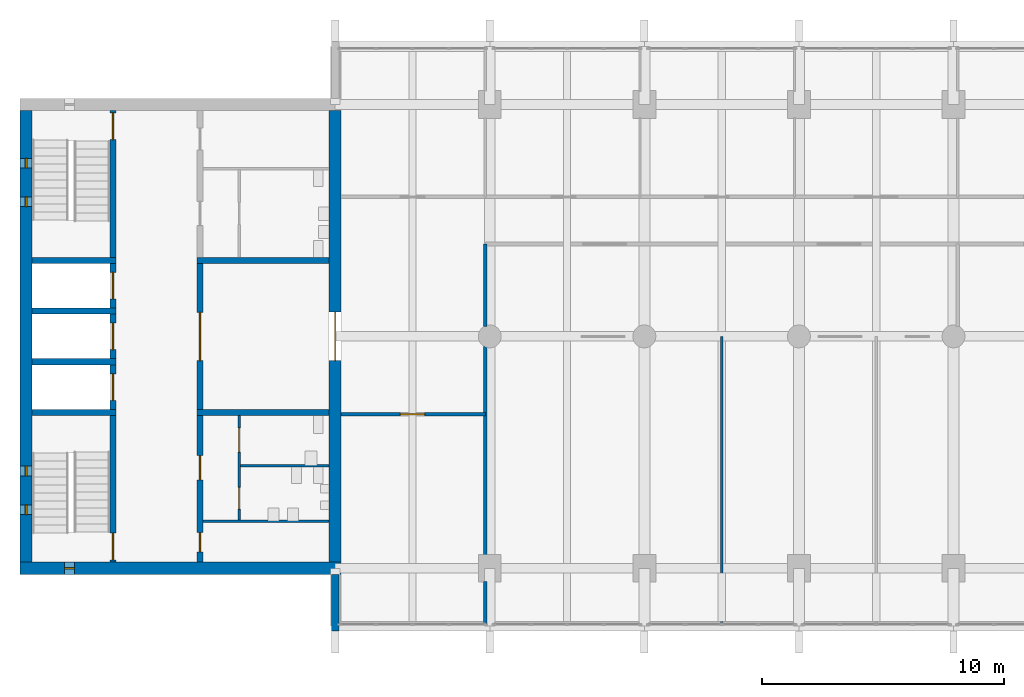
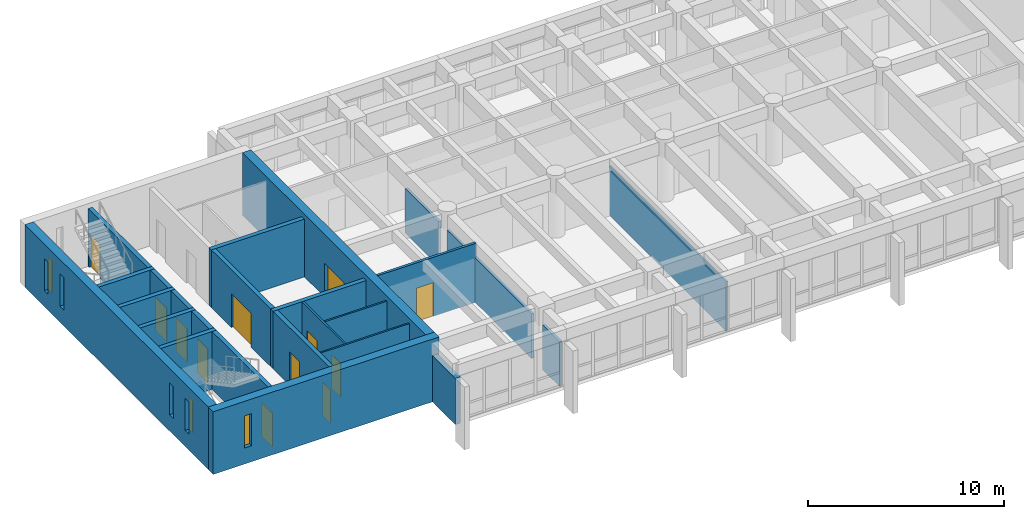
# One storey, part 9 of 15: 25 walls, 12 doors, 5 windows, 17 openings.
"""IFC4 building model written with IfcOpenShell, lengths in metres."""

from ifc_helpers import new_model, si_unit, direction, frame, frame_2d, origin, place, context, subcontext, project, spatial, rectangle, extrude, material, layer, layer_set, type_object, element, fill, save


model = new_model("IFC4")

# Units and contexts
model_context = context("Model", 3, precision=1e-05, world=origin(), true_north=direction((0.0, 1.0)))
body_context = subcontext(model_context, "Body", "Model", "MODEL_VIEW")
ifc_project = project(units=[si_unit("LENGTHUNIT", "METRE"), si_unit("AREAUNIT", "SQUARE_METRE"), si_unit("VOLUMEUNIT", "CUBIC_METRE"), si_unit("PLANEANGLEUNIT", "RADIAN"), si_unit("MASSUNIT", "GRAM", prefix="KILO")], contexts=[model_context])

# Site, building, storey
site_placement = place(None, origin())
site = spatial("IfcSite", under=ifc_project, at=site_placement, CompositionType="ELEMENT")
building_placement = place(site_placement, origin())
building = spatial("IfcBuilding", under=site, at=building_placement, Name="Fogon Plaza Fire Station and Headquarters Tower", CompositionType="ELEMENT")
storey_placement = place(building_placement, frame((0.0, 0.0, 40.5)))
storey = spatial("IfcBuildingStorey", under=building, at=storey_placement, Name="L10", CompositionType="ELEMENT", Elevation=40.5)

# Walls
ifc_material_1 = material(Name="Concrete C40", Category="concrete")
ifc_layer_1 = layer(ifc_material_1, 0.25)
ifc_layer_set_1 = layer_set([ifc_layer_1], Name="Concrete C40")
wall_type_1 = type_object("IfcWallType", Name="Core Wall RC 250", PredefinedType="SOLIDWALL", material=ifc_layer_set_1)
for number, where, z_axis, x_axis, name in (
    (1, (13.050048828125, 40.050048828125, 0.0), (0.0, 0.0, 1.0), (1.0, 0.0, 0.0), "Core A shaft wall"),
    (2, (13.050048828125, 42.14990234375, 0.0), (0.0, 0.0, 1.0), (1.0, 0.0, 0.0), "Core A shaft wall"),
    (3, (13.050048828125, 44.25, 0.0), (0.0, 0.0, 1.0), (1.0, 0.0, 0.0), "Core A shaft wall"),
    (4, (13.050048828125, 46.35009765625, 0.0), (0.0, 0.0, 1.0), (1.0, 0.0, 0.0), "Core A shaft wall"),
):
    element("IfcWall", number, at=place(storey_placement, frame(where, z_axis=z_axis, x_axis=x_axis)), inside=storey, type_object=wall_type_1, Name=name, PredefinedType="SOLIDWALL", context=body_context, shape_type="SweptSolid", body=[
        extrude(rectangle(XDim=3.474853515625, YDim=0.25, at=frame_2d((1.7373046875, 0.0))), origin(), (0.0, 0.0, 1.0), 3.60009765625),
    ])

# Wall, opening, door
wall_1_placement = place(storey_placement, frame((16.39990234375, 33.85009765625, 0.0), z_axis=(0.0, 0.0, 1.0), x_axis=(0.0, 1.0, 0.0)))
wall_1 = element("IfcWall", 5, at=wall_1_placement, inside=storey, type_object=wall_type_1, Name="Core A shaft wall", PredefinedType="SOLIDWALL", context=body_context, shape_type="SweptSolid", body=[
    extrude(rectangle(XDim=6.074951171875, YDim=0.25, at=frame_2d((3.03759765625, 0.0))), origin(), (0.0, 0.0, 1.0), 3.60009765625),
])
opening_1_placement = place(wall_1_placement, frame((0.10009765625, 0.0, 0.0)))
opening_1 = element("IfcOpeningElement", 6, at=opening_1_placement, cuts=wall_1, Name="Opening L10-D01", PredefinedType="OPENING", context=body_context, shape_type="SweptSolid", body=[
    extrude(rectangle(XDim=1.10009765625, YDim=2.10009765625, at=frame_2d((0.550048828125, 1.050048828125))), frame((0.0, 0.135009765625, 0.0), z_axis=(0.0, -1.0, 0.0), x_axis=(1.0, 0.0, 0.0)), (0.0, 0.0, 1.0), 0.27001953125),
])
ifc_material_2 = material(Name="Steel Fire Door Leaf", Category="steel")
door_type_1 = type_object("IfcDoorType", Name="Stair Door Single 1100x2100", OperationType="SINGLE_SWING_LEFT", PredefinedType="DOOR", material=ifc_material_2)
door_1_placement = place(opening_1_placement, origin())
door_1 = element("IfcDoor", 7, at=door_1_placement, inside=storey, type_object=door_type_1, Name="Stair door ST1", OperationType="SINGLE_SWING_LEFT", OverallHeight=2.10009765625, OverallWidth=1.10009765625, PredefinedType="DOOR", context=body_context, shape_type="SweptSolid", body=[
    extrude(rectangle(XDim=1.10009765625, YDim=2.10009765625, at=frame_2d((0.550048828125, 1.050048828125))), frame((0.0, 0.02490234375, 0.0), z_axis=(0.0, -1.0, 0.0), x_axis=(1.0, 0.0, 0.0)), (0.0, 0.0, 1.0), 0.050048828125),
])
fill(opening_1, door_1)

wall_2_placement = place(storey_placement, frame((16.39990234375, 40.175048828125, 0.0), z_axis=(0.0, 0.0, 1.0), x_axis=(0.0, 1.0, 0.0)))
wall_2 = element("IfcWall", 8, at=wall_2_placement, inside=storey, type_object=wall_type_1, Name="Core A shaft wall", PredefinedType="SOLIDWALL", context=body_context, shape_type="SweptSolid", body=[
    extrude(rectangle(XDim=1.849853515625, YDim=0.25, at=frame_2d((0.9248046875, 0.0))), origin(), (0.0, 0.0, 1.0), 3.60009765625),
])
opening_2_placement = place(wall_2_placement, frame((0.375, 0.0, 0.0)))
opening_2 = element("IfcOpeningElement", 9, at=opening_2_placement, cuts=wall_2, Name="Opening L10-D03", PredefinedType="OPENING", context=body_context, shape_type="SweptSolid", body=[
    extrude(rectangle(XDim=1.10009765625, YDim=2.10009765625, at=frame_2d((0.550048828125, 1.050048828125))), frame((0.0, 0.135009765625, 0.0), z_axis=(0.0, -1.0, 0.0), x_axis=(1.0, 0.0, 0.0)), (0.0, 0.0, 1.0), 0.27001953125),
])
ifc_material_3 = material(Name="Stainless Steel", Category="steel")
door_type_2 = type_object("IfcDoorType", Name="Lift Landing Door 1100x2100", OperationType="SLIDING_TO_LEFT", PredefinedType="DOOR", material=ifc_material_3)
door_2_placement = place(opening_2_placement, origin())
door_2 = element("IfcDoor", 10, at=door_2_placement, inside=storey, type_object=door_type_2, Name="Lift LP1 landing door", OperationType="SLIDING_TO_LEFT", OverallHeight=2.10009765625, OverallWidth=1.10009765625, PredefinedType="DOOR", context=body_context, shape_type="SweptSolid", body=[
    extrude(rectangle(XDim=1.10009765625, YDim=2.10009765625, at=frame_2d((0.550048828125, 1.050048828125))), frame((0.0, 0.02490234375, 0.0), z_axis=(0.0, -1.0, 0.0), x_axis=(1.0, 0.0, 0.0)), (0.0, 0.0, 1.0), 0.050048828125),
])
fill(opening_2, door_2)

wall_3_placement = place(storey_placement, frame((16.39990234375, 42.27490234375, 0.0), z_axis=(0.0, 0.0, 1.0), x_axis=(0.0, 1.0, 0.0)))
wall_3 = element("IfcWall", 11, at=wall_3_placement, inside=storey, type_object=wall_type_1, Name="Core A shaft wall", PredefinedType="SOLIDWALL", context=body_context, shape_type="SweptSolid", body=[
    extrude(rectangle(XDim=1.85009765625, YDim=0.25, at=frame_2d((0.925048828125, 0.0))), origin(), (0.0, 0.0, 1.0), 3.60009765625),
])
opening_3_placement = place(wall_3_placement, frame((0.375, 0.0, 0.0)))
opening_3 = element("IfcOpeningElement", 12, at=opening_3_placement, cuts=wall_3, Name="Opening L10-D04", PredefinedType="OPENING", context=body_context, shape_type="SweptSolid", body=[
    extrude(rectangle(XDim=1.10009765625, YDim=2.10009765625, at=frame_2d((0.550048828125, 1.050048828125))), frame((0.0, 0.135009765625, 0.0), z_axis=(0.0, -1.0, 0.0), x_axis=(1.0, 0.0, 0.0)), (0.0, 0.0, 1.0), 0.27001953125),
])
door_3_placement = place(opening_3_placement, origin())
door_3 = element("IfcDoor", 13, at=door_3_placement, inside=storey, type_object=door_type_2, Name="Lift LP2 landing door", OperationType="SLIDING_TO_LEFT", OverallHeight=2.10009765625, OverallWidth=1.10009765625, PredefinedType="DOOR", context=body_context, shape_type="SweptSolid", body=[
    extrude(rectangle(XDim=1.10009765625, YDim=2.10009765625, at=frame_2d((0.550048828125, 1.050048828125))), frame((0.0, 0.02490234375, 0.0), z_axis=(0.0, -1.0, 0.0), x_axis=(1.0, 0.0, 0.0)), (0.0, 0.0, 1.0), 0.050048828125),
])
fill(opening_3, door_3)

wall_4_placement = place(storey_placement, frame((16.39990234375, 44.375, 0.0), z_axis=(0.0, 0.0, 1.0), x_axis=(0.0, 1.0, 0.0)))
wall_4 = element("IfcWall", 14, at=wall_4_placement, inside=storey, type_object=wall_type_1, Name="Core A shaft wall", PredefinedType="SOLIDWALL", context=body_context, shape_type="SweptSolid", body=[
    extrude(rectangle(XDim=1.85009765625, YDim=0.25, at=frame_2d((0.925048828125, 0.0))), origin(), (0.0, 0.0, 1.0), 3.60009765625),
])
opening_4_placement = place(wall_4_placement, frame((0.375, 0.0, 0.0)))
opening_4 = element("IfcOpeningElement", 15, at=opening_4_placement, cuts=wall_4, Name="Opening L10-D05", PredefinedType="OPENING", context=body_context, shape_type="SweptSolid", body=[
    extrude(rectangle(XDim=1.10009765625, YDim=2.10009765625, at=frame_2d((0.550048828125, 1.050048828125))), frame((0.0, 0.135009765625, 0.0), z_axis=(0.0, -1.0, 0.0), x_axis=(1.0, 0.0, 0.0)), (0.0, 0.0, 1.0), 0.27001953125),
])
door_4_placement = place(opening_4_placement, origin())
door_4 = element("IfcDoor", 16, at=door_4_placement, inside=storey, type_object=door_type_2, Name="Lift FL1 landing door", OperationType="SLIDING_TO_LEFT", OverallHeight=2.10009765625, OverallWidth=1.10009765625, PredefinedType="DOOR", context=body_context, shape_type="SweptSolid", body=[
    extrude(rectangle(XDim=1.10009765625, YDim=2.10009765625, at=frame_2d((0.550048828125, 1.050048828125))), frame((0.0, 0.02490234375, 0.0), z_axis=(0.0, -1.0, 0.0), x_axis=(1.0, 0.0, 0.0)), (0.0, 0.0, 1.0), 0.050048828125),
])
fill(opening_4, door_4)

wall_5_placement = place(storey_placement, frame((16.39990234375, 46.47509765625, 0.0), z_axis=(0.0, 0.0, 1.0), x_axis=(0.0, 1.0, 0.0)))
wall_5 = element("IfcWall", 17, at=wall_5_placement, inside=storey, type_object=wall_type_1, Name="Core A shaft wall", PredefinedType="SOLIDWALL", context=body_context, shape_type="SweptSolid", body=[
    extrude(rectangle(XDim=6.074951171875, YDim=0.25, at=frame_2d((3.03759765625, 0.0))), origin(), (0.0, 0.0, 1.0), 3.60009765625),
])
opening_5_placement = place(wall_5_placement, frame((4.875, 0.0, 0.0)))
opening_5 = element("IfcOpeningElement", 18, at=opening_5_placement, cuts=wall_5, Name="Opening L10-D02", PredefinedType="OPENING", context=body_context, shape_type="SweptSolid", body=[
    extrude(rectangle(XDim=1.10009765625, YDim=2.10009765625, at=frame_2d((0.550048828125, 1.050048828125))), frame((0.0, 0.135009765625, 0.0), z_axis=(0.0, -1.0, 0.0), x_axis=(1.0, 0.0, 0.0)), (0.0, 0.0, 1.0), 0.27001953125),
])
door_5_placement = place(opening_5_placement, origin())
door_5 = element("IfcDoor", 19, at=door_5_placement, inside=storey, type_object=door_type_1, Name="Stair door ST2", OperationType="SINGLE_SWING_RIGHT", OverallHeight=2.10009765625, OverallWidth=1.10009765625, PredefinedType="DOOR", context=body_context, shape_type="SweptSolid", body=[
    extrude(rectangle(XDim=1.10009765625, YDim=2.10009765625, at=frame_2d((0.550048828125, 1.050048828125))), frame((0.0, 0.02490234375, 0.0), z_axis=(0.0, -1.0, 0.0), x_axis=(1.0, 0.0, 0.0)), (0.0, 0.0, 1.0), 0.050048828125),
])
fill(opening_5, door_5)

# Wall, openings, doors
wall_6_placement = place(storey_placement, frame((20.0, 33.85009765625, 0.0), z_axis=(0.0, 0.0, 1.0), x_axis=(0.0, 1.0, 0.0)))
wall_6 = element("IfcWall", 20, at=wall_6_placement, inside=storey, type_object=wall_type_1, Name="Core A shaft wall", PredefinedType="SOLIDWALL", context=body_context, shape_type="SweptSolid", body=[
    extrude(rectangle(XDim=6.074951171875, YDim=0.25, at=frame_2d((3.03759765625, 0.0))), origin(), (0.0, 0.0, 1.0), 3.60009765625),
])
opening_6_placement = place(wall_6_placement, frame((0.425048828125, 0.0, 0.0)))
opening_6 = element("IfcOpeningElement", 21, at=opening_6_placement, cuts=wall_6, Name="Opening L10-D08", PredefinedType="OPENING", context=body_context, shape_type="SweptSolid", body=[
    extrude(rectangle(XDim=0.800048828125, YDim=2.10009765625, at=frame_2d((0.39990234375, 1.050048828125))), frame((0.0, 0.135009765625, 0.0), z_axis=(0.0, -1.0, 0.0), x_axis=(1.0, 0.0, 0.0)), (0.0, 0.0, 1.0), 0.27001953125),
])
opening_7_placement = place(wall_6_placement, frame((3.41259765625, 0.0, 0.0)))
opening_7 = element("IfcOpeningElement", 22, at=opening_7_placement, cuts=wall_6, Name="Opening L10-D09", PredefinedType="OPENING", context=body_context, shape_type="SweptSolid", body=[
    extrude(rectangle(XDim=1.0, YDim=2.10009765625, at=frame_2d((0.5, 1.050048828125))), frame((0.0, 0.135009765625, 0.0), z_axis=(0.0, -1.0, 0.0), x_axis=(1.0, 0.0, 0.0)), (0.0, 0.0, 1.0), 0.27001953125),
])
ifc_material_4 = material(Name="Timber Door Leaf", Category="wood")
door_type_3 = type_object("IfcDoorType", Name="Cleaner Store Single 800x2100", OperationType="SINGLE_SWING_LEFT", PredefinedType="DOOR", material=ifc_material_4)
door_6_placement = place(opening_6_placement, frame((0.800048828125, 0.0, 0.0), z_axis=(0.0, 0.0, 1.0), x_axis=(-1.0, 0.0, 0.0)))
door_6 = element("IfcDoor", 23, at=door_6_placement, inside=storey, type_object=door_type_3, Name="Cleaner's store A door", OperationType="SINGLE_SWING_LEFT", OverallHeight=2.10009765625, OverallWidth=0.800048828125, PredefinedType="DOOR", context=body_context, shape_type="SweptSolid", body=[
    extrude(rectangle(XDim=0.800048828125, YDim=2.10009765625, at=frame_2d((0.39990234375, 1.050048828125))), frame((0.0, 0.02490234375, 0.0), z_axis=(0.0, -1.0, 0.0), x_axis=(1.0, 0.0, 0.0)), (0.0, 0.0, 1.0), 0.050048828125),
])
fill(opening_6, door_6)
ifc_material_5 = material(Name="Timber fire door", Category="wood")
door_type_4 = type_object("IfcDoorType", Name="WC Lobby Single 1000x2100", OperationType="SINGLE_SWING_LEFT", PredefinedType="DOOR", material=ifc_material_5)
door_7_placement = place(opening_7_placement, frame((1.0, 0.0, 0.0), z_axis=(0.0, 0.0, 1.0), x_axis=(-1.0, 0.0, 0.0)))
door_7 = element("IfcDoor", 24, at=door_7_placement, inside=storey, type_object=door_type_4, Name="Men's WC lobby A door", OperationType="SINGLE_SWING_RIGHT", OverallHeight=2.10009765625, OverallWidth=1.0, PredefinedType="DOOR", context=body_context, shape_type="SweptSolid", body=[
    extrude(rectangle(XDim=1.0, YDim=2.10009765625, at=frame_2d((0.5, 1.050048828125))), frame((0.0, 0.02490234375, 0.0), z_axis=(0.0, -1.0, 0.0), x_axis=(1.0, 0.0, 0.0)), (0.0, 0.0, 1.0), 0.050048828125),
])
fill(opening_7, door_7)

# Wall, opening, door
wall_7_placement = place(storey_placement, frame((20.0, 40.175048828125, 0.0), z_axis=(0.0, 0.0, 1.0), x_axis=(0.0, 1.0, 0.0)))
wall_7 = element("IfcWall", 25, at=wall_7_placement, inside=storey, type_object=wall_type_1, Name="Core A shaft wall", PredefinedType="SOLIDWALL", context=body_context, shape_type="SweptSolid", body=[
    extrude(rectangle(XDim=6.050048828125, YDim=0.25, at=frame_2d((3.02490234375, 0.0))), origin(), (0.0, 0.0, 1.0), 3.60009765625),
])
opening_8_placement = place(wall_7_placement, frame((2.02490234375, 0.0, 0.0)))
opening_8 = element("IfcOpeningElement", 26, at=opening_8_placement, cuts=wall_7, Name="Opening L10-D06", PredefinedType="OPENING", context=body_context, shape_type="SweptSolid", body=[
    extrude(rectangle(XDim=2.0, YDim=2.10009765625, at=frame_2d((1.0, 1.050048828125))), frame((0.0, 0.135009765625, 0.0), z_axis=(0.0, -1.0, 0.0), x_axis=(1.0, 0.0, 0.0)), (0.0, 0.0, 1.0), 0.27001953125),
])
ifc_material_6 = material(Name="Steel Fire Door Leaf", Category="steel")
door_type_5 = type_object("IfcDoorType", Name="Vestibule Double 2000x2100", OperationType="DOUBLE_DOOR_SINGLE_SWING", PredefinedType="DOOR", material=ifc_material_6)
door_8_placement = place(opening_8_placement, frame((2.0, 0.0, 0.0), z_axis=(0.0, 0.0, 1.0), x_axis=(-1.0, 0.0, 0.0)))
door_8 = element("IfcDoor", 27, at=door_8_placement, inside=storey, type_object=door_type_5, Name="Vestibule A door", OperationType="DOUBLE_DOOR_SINGLE_SWING", OverallHeight=2.10009765625, OverallWidth=2.0, PredefinedType="DOOR", context=body_context, shape_type="SweptSolid", body=[
    extrude(rectangle(XDim=2.0, YDim=2.10009765625, at=frame_2d((1.0, 1.050048828125))), frame((0.0, 0.02490234375, 0.0), z_axis=(0.0, -1.0, 0.0), x_axis=(1.0, 0.0, 0.0)), (0.0, 0.0, 1.0), 0.050048828125),
])
fill(opening_8, door_8)

# Walls
for number, where, z_axis, x_axis, name in (
    (28, (19.875, 40.050048828125, 0.0), (0.0, 0.0, 1.0), (1.0, 0.0, 0.0), "Core A shaft wall"),
    (29, (19.875, 46.35009765625, 0.0), (0.0, 0.0, 1.0), (1.0, 0.0, 0.0), "Core A shaft wall"),
):
    element("IfcWall", number, at=place(storey_placement, frame(where, z_axis=z_axis, x_axis=x_axis)), inside=storey, type_object=wall_type_1, Name=name, PredefinedType="SOLIDWALL", context=body_context, shape_type="SweptSolid", body=[
        extrude(rectangle(XDim=5.47509765625, YDim=0.25, at=frame_2d((2.737548828125, 0.0))), origin(), (0.0, 0.0, 1.0), 3.60009765625),
    ])
ifc_material_7 = material(Name="Concrete C40", Category="concrete")
ifc_layer_2 = layer(ifc_material_7, 0.300048828125)
ifc_layer_set_2 = layer_set([ifc_layer_2], Name="Concrete C40")
wall_type_2 = type_object("IfcWallType", Name="Fair-faced RC Return Panel 300", PredefinedType="SOLIDWALL", material=ifc_layer_set_2)
wall_8_placement = place(storey_placement, frame((25.60009765625, 31.0, 0.0), z_axis=(0.0, 0.0, 1.0), x_axis=(0.0, 1.0, 0.0)))
element("IfcWall", 30, at=wall_8_placement, inside=storey, type_object=wall_type_2, Name="Bar end return WS L10", PredefinedType="SOLIDWALL", context=body_context, shape_type="SweptSolid", body=[
    extrude(rectangle(XDim=2.35009765625, YDim=0.300048828125, at=frame_2d((1.175048828125, 0.0))), origin(), (0.0, 0.0, 1.0), 2.8798828125),
])
ifc_material_8 = material(Name="Blockwork", Category="masonry")
ifc_layer_3 = layer(ifc_material_8, 0.10009765625)
ifc_layer_set_3 = layer_set([ifc_layer_3], Name="Blockwork")
wall_type_3 = type_object("IfcWallType", Name="Partition Blockwork 100", PredefinedType="PARTITIONING", material=ifc_layer_set_3)
wall_9_placement = place(storey_placement, frame((20.125, 35.550048828125, 0.0), z_axis=(0.0, 0.0, 1.0), x_axis=(1.0, 0.0, 0.0)))
element("IfcWall", 31, at=wall_9_placement, inside=storey, type_object=wall_type_3, Name="Cleaner's store partition", PredefinedType="PARTITIONING", context=body_context, shape_type="SweptSolid", body=[
    extrude(rectangle(XDim=5.22509765625, YDim=0.10009765625, at=frame_2d((2.612548828125, 0.0))), origin(), (0.0, 0.0, 1.0), 3.60009765625),
])

# Wall, openings, doors
wall_10_placement = place(storey_placement, frame((21.625, 35.60009765625, 0.0), z_axis=(0.0, 0.0, 1.0), x_axis=(0.0, 1.0, 0.0)))
wall_10 = element("IfcWall", 32, at=wall_10_placement, inside=storey, type_object=wall_type_3, Name="WC block partition", PredefinedType="PARTITIONING", context=body_context, shape_type="SweptSolid", body=[
    extrude(rectangle(XDim=4.324951171875, YDim=0.10009765625, at=frame_2d((2.16259765625, 0.0))), origin(), (0.0, 0.0, 1.0), 3.60009765625),
])
opening_9_placement = place(wall_10_placement, frame((0.449951171875, 0.0, 0.0)))
opening_9 = element("IfcOpeningElement", 33, at=opening_9_placement, cuts=wall_10, Name="Opening L10-D10", PredefinedType="OPENING", context=body_context, shape_type="SweptSolid", body=[
    extrude(rectangle(XDim=0.89990234375, YDim=2.10009765625, at=frame_2d((0.449951171875, 1.050048828125))), frame((0.0, 0.06005859375, 0.0), z_axis=(0.0, -1.0, 0.0), x_axis=(1.0, 0.0, 0.0)), (0.0, 0.0, 1.0), 0.1201171875),
])
opening_10_placement = place(wall_10_placement, frame((2.8125, 0.0, 0.0)))
opening_10 = element("IfcOpeningElement", 34, at=opening_10_placement, cuts=wall_10, Name="Opening L10-D11", PredefinedType="OPENING", context=body_context, shape_type="SweptSolid", body=[
    extrude(rectangle(XDim=1.0, YDim=2.10009765625, at=frame_2d((0.5, 1.050048828125))), frame((0.0, 0.06005859375, 0.0), z_axis=(0.0, -1.0, 0.0), x_axis=(1.0, 0.0, 0.0)), (0.0, 0.0, 1.0), 0.1201171875),
])
ifc_material_9 = material(Name="Timber Door Leaf", Category="wood")
door_type_6 = type_object("IfcDoorType", Name="Accessible WC Single 1000x2100", OperationType="SINGLE_SWING_LEFT", PredefinedType="DOOR", material=ifc_material_9)
door_9_placement = place(opening_10_placement, frame((1.0, 0.0, 0.0), z_axis=(0.0, 0.0, 1.0), x_axis=(-1.0, 0.0, 0.0)))
door_9 = element("IfcDoor", 35, at=door_9_placement, inside=storey, type_object=door_type_6, Name="Accessible WC A door", OperationType="SINGLE_SWING_RIGHT", OverallHeight=2.10009765625, OverallWidth=1.0, PredefinedType="DOOR", context=body_context, shape_type="SweptSolid", body=[
    extrude(rectangle(XDim=1.0, YDim=2.10009765625, at=frame_2d((0.5, 1.050048828125))), frame((0.0, 0.02490234375, 0.0), z_axis=(0.0, -1.0, 0.0), x_axis=(1.0, 0.0, 0.0)), (0.0, 0.0, 1.0), 0.050048828125),
])
fill(opening_10, door_9)
ifc_material_10 = material(Name="Timber Door Leaf", Category="wood")
door_type_7 = type_object("IfcDoorType", Name="WC Single 900x2100", OperationType="SINGLE_SWING_LEFT", PredefinedType="DOOR", material=ifc_material_10)
door_10_placement = place(opening_9_placement, frame((0.89990234375, 0.0, 0.0), z_axis=(0.0, 0.0, 1.0), x_axis=(-1.0, 0.0, 0.0)))
door_10 = element("IfcDoor", 36, at=door_10_placement, inside=storey, type_object=door_type_7, Name="Men's WC A door", OperationType="SINGLE_SWING_RIGHT", OverallHeight=2.10009765625, OverallWidth=0.89990234375, PredefinedType="DOOR", context=body_context, shape_type="SweptSolid", body=[
    extrude(rectangle(XDim=0.89990234375, YDim=2.10009765625, at=frame_2d((0.449951171875, 1.050048828125))), frame((0.0, 0.02490234375, 0.0), z_axis=(0.0, -1.0, 0.0), x_axis=(1.0, 0.0, 0.0)), (0.0, 0.0, 1.0), 0.050048828125),
])
fill(opening_9, door_10)

# Wall
wall_11_placement = place(storey_placement, frame((21.675048828125, 37.85009765625, 0.0), z_axis=(0.0, 0.0, 1.0), x_axis=(1.0, 0.0, 0.0)))
element("IfcWall", 37, at=wall_11_placement, inside=storey, type_object=wall_type_3, Name="WC block partition", PredefinedType="PARTITIONING", context=body_context, shape_type="SweptSolid", body=[
    extrude(rectangle(XDim=3.675048828125, YDim=0.10009765625, at=frame_2d((1.83740234375, 0.0))), origin(), (0.0, 0.0, 1.0), 3.60009765625),
])

# Wall, opening, window
ifc_material_11 = material(Name="Concrete C40", Category="concrete")
ifc_layer_4 = layer(ifc_material_11, 0.5)
ifc_layer_set_4 = layer_set([ifc_layer_4], Name="Concrete C40")
wall_type_4 = type_object("IfcWallType", Name="Shear wall 500 SW50", PredefinedType="SHEAR", material=ifc_layer_set_4)
wall_12_placement = place(storey_placement, frame((12.550048828125, 33.60009765625, 0.0), z_axis=(0.0, 0.0, 1.0), x_axis=(1.0, 0.0, 0.0)))
wall_12 = element("IfcWall", 38, at=wall_12_placement, inside=storey, type_object=wall_type_4, Name="wall-coreA-S-L10", PredefinedType="SHEAR", context=body_context, shape_type="SweptSolid", body=[
    extrude(rectangle(XDim=13.300048828125, YDim=0.5, at=frame_2d((6.64990234375, 0.0))), origin(), (0.0, 0.0, 1.0), 3.89990234375),
])
opening_11_placement = place(wall_12_placement, frame((1.85009765625, 0.0, 1.0)))
opening_11 = element("IfcOpeningElement", 39, at=opening_11_placement, cuts=wall_12, Name="Opening WS1", PredefinedType="OPENING", context=body_context, shape_type="SweptSolid", body=[
    extrude(rectangle(XDim=0.39990234375, YDim=2.0, at=frame_2d((0.199951171875, 1.0))), frame((0.0, 0.260009765625, 0.0), z_axis=(0.0, -1.0, 0.0), x_axis=(1.0, 0.0, 0.0)), (0.0, 0.0, 1.0), 0.52001953125),
])
ifc_material_12 = material(Name="Aluminium framed double glazing", Category="aluminium")
window_type = type_object("IfcWindowType", Name="Slit Window WS1 400x2000", PartitioningType="SINGLE_PANEL", PredefinedType="WINDOW", material=ifc_material_12)
window_1_placement = place(opening_11_placement, origin())
window_1 = element("IfcWindow", 40, at=window_1_placement, inside=storey, type_object=window_type, Name="Slit window A5 L10", OverallHeight=2.0, OverallWidth=0.39990234375, PartitioningType="SINGLE_PANEL", PredefinedType="WINDOW", context=body_context, shape_type="SweptSolid", body=[
    extrude(rectangle(XDim=0.39990234375, YDim=2.0, at=frame_2d((0.199951171875, 1.0))), frame((0.0, 0.030029296875, 0.0), z_axis=(0.0, -1.0, 0.0), x_axis=(1.0, 0.0, 0.0)), (0.0, 0.0, 1.0), 0.06005859375),
])
fill(opening_11, window_1)

# Wall, opening, door
wall_13_placement = place(storey_placement, frame((25.60009765625, 33.85009765625, 0.0), z_axis=(0.0, 0.0, 1.0), x_axis=(0.0, 1.0, 0.0)))
wall_13 = element("IfcWall", 41, at=wall_13_placement, inside=storey, type_object=wall_type_4, Name="wall-coreA-E-L10", PredefinedType="SHEAR", context=body_context, shape_type="SweptSolid", body=[
    extrude(rectangle(XDim=18.699951171875, YDim=0.5, at=frame_2d((9.35009765625, 0.0))), origin(), (0.0, 0.0, 1.0), 3.89990234375),
])
opening_12_placement = place(wall_13_placement, frame((8.35009765625, 0.0, 0.0)))
opening_12 = element("IfcOpeningElement", 42, at=opening_12_placement, cuts=wall_13, Name="Opening L10-D07", PredefinedType="OPENING", context=body_context, shape_type="SweptSolid", body=[
    extrude(rectangle(XDim=2.0, YDim=2.10009765625, at=frame_2d((1.0, 1.050048828125))), frame((0.0, 0.260009765625, 0.0), z_axis=(0.0, -1.0, 0.0), x_axis=(1.0, 0.0, 0.0)), (0.0, 0.0, 1.0), 0.52001953125),
])
door_11_placement = place(opening_12_placement, origin())
door_11 = element("IfcDoor", 43, at=door_11_placement, inside=storey, type_object=door_type_5, Name="Vestibule A door to the office zone", OperationType="DOUBLE_DOOR_SINGLE_SWING", OverallHeight=2.10009765625, OverallWidth=2.0, PredefinedType="DOOR", context=body_context, shape_type="SweptSolid", body=[
    extrude(rectangle(XDim=2.0, YDim=2.10009765625, at=frame_2d((1.0, 1.050048828125))), frame((0.0, 0.02490234375, 0.0), z_axis=(0.0, -1.0, 0.0), x_axis=(1.0, 0.0, 0.0)), (0.0, 0.0, 1.0), 0.050048828125),
])
fill(opening_12, door_11)

# Wall, openings, windows
wall_14_placement = place(storey_placement, frame((12.800048828125, 33.85009765625, 0.0), z_axis=(0.0, 0.0, 1.0), x_axis=(0.0, 1.0, 0.0)))
wall_14 = element("IfcWall", 44, at=wall_14_placement, inside=storey, type_object=wall_type_4, Name="wall-coreA-W-L10", PredefinedType="SHEAR", context=body_context, shape_type="SweptSolid", body=[
    extrude(rectangle(XDim=18.699951171875, YDim=0.5, at=frame_2d((9.35009765625, 0.0))), origin(), (0.0, 0.0, 1.0), 3.89990234375),
])
opening_13_placement = place(wall_14_placement, frame((1.97509765625, 0.0, 1.0)))
opening_13 = element("IfcOpeningElement", 45, at=opening_13_placement, cuts=wall_14, Name="Opening WS1", PredefinedType="OPENING", context=body_context, shape_type="SweptSolid", body=[
    extrude(rectangle(XDim=0.39990234375, YDim=2.0, at=frame_2d((0.199951171875, 1.0))), frame((0.0, 0.260009765625, 0.0), z_axis=(0.0, -1.0, 0.0), x_axis=(1.0, 0.0, 0.0)), (0.0, 0.0, 1.0), 0.52001953125),
])
opening_14_placement = place(wall_14_placement, frame((3.574951171875, 0.0, 1.0)))
opening_14 = element("IfcOpeningElement", 46, at=opening_14_placement, cuts=wall_14, Name="Opening WS1", PredefinedType="OPENING", context=body_context, shape_type="SweptSolid", body=[
    extrude(rectangle(XDim=0.39990234375, YDim=2.0, at=frame_2d((0.199951171875, 1.0))), frame((0.0, 0.260009765625, 0.0), z_axis=(0.0, -1.0, 0.0), x_axis=(1.0, 0.0, 0.0)), (0.0, 0.0, 1.0), 0.52001953125),
])
opening_15_placement = place(wall_14_placement, frame((14.72509765625, 0.0, 1.0)))
opening_15 = element("IfcOpeningElement", 47, at=opening_15_placement, cuts=wall_14, Name="Opening WS1", PredefinedType="OPENING", context=body_context, shape_type="SweptSolid", body=[
    extrude(rectangle(XDim=0.39990234375, YDim=2.0, at=frame_2d((0.199951171875, 1.0))), frame((0.0, 0.260009765625, 0.0), z_axis=(0.0, -1.0, 0.0), x_axis=(1.0, 0.0, 0.0)), (0.0, 0.0, 1.0), 0.52001953125),
])
opening_16_placement = place(wall_14_placement, frame((16.324951171875, 0.0, 1.0)))
opening_16 = element("IfcOpeningElement", 48, at=opening_16_placement, cuts=wall_14, Name="Opening WS1", PredefinedType="OPENING", context=body_context, shape_type="SweptSolid", body=[
    extrude(rectangle(XDim=0.39990234375, YDim=2.0, at=frame_2d((0.199951171875, 1.0))), frame((0.0, 0.260009765625, 0.0), z_axis=(0.0, -1.0, 0.0), x_axis=(1.0, 0.0, 0.0)), (0.0, 0.0, 1.0), 0.52001953125),
])
window_2_placement = place(opening_13_placement, origin())
window_2 = element("IfcWindow", 49, at=window_2_placement, inside=storey, type_object=window_type, Name="Slit window A1 L10", OverallHeight=2.0, OverallWidth=0.39990234375, PartitioningType="SINGLE_PANEL", PredefinedType="WINDOW", context=body_context, shape_type="SweptSolid", body=[
    extrude(rectangle(XDim=0.39990234375, YDim=2.0, at=frame_2d((0.199951171875, 1.0))), frame((0.0, 0.030029296875, 0.0), z_axis=(0.0, -1.0, 0.0), x_axis=(1.0, 0.0, 0.0)), (0.0, 0.0, 1.0), 0.06005859375),
])
fill(opening_13, window_2)
window_3_placement = place(opening_14_placement, origin())
window_3 = element("IfcWindow", 50, at=window_3_placement, inside=storey, type_object=window_type, Name="Slit window A2 L10", OverallHeight=2.0, OverallWidth=0.39990234375, PartitioningType="SINGLE_PANEL", PredefinedType="WINDOW", context=body_context, shape_type="SweptSolid", body=[
    extrude(rectangle(XDim=0.39990234375, YDim=2.0, at=frame_2d((0.199951171875, 1.0))), frame((0.0, 0.030029296875, 0.0), z_axis=(0.0, -1.0, 0.0), x_axis=(1.0, 0.0, 0.0)), (0.0, 0.0, 1.0), 0.06005859375),
])
fill(opening_14, window_3)
window_4_placement = place(opening_15_placement, origin())
window_4 = element("IfcWindow", 51, at=window_4_placement, inside=storey, type_object=window_type, Name="Slit window A3 L10", OverallHeight=2.0, OverallWidth=0.39990234375, PartitioningType="SINGLE_PANEL", PredefinedType="WINDOW", context=body_context, shape_type="SweptSolid", body=[
    extrude(rectangle(XDim=0.39990234375, YDim=2.0, at=frame_2d((0.199951171875, 1.0))), frame((0.0, 0.030029296875, 0.0), z_axis=(0.0, -1.0, 0.0), x_axis=(1.0, 0.0, 0.0)), (0.0, 0.0, 1.0), 0.06005859375),
])
fill(opening_15, window_4)
window_5_placement = place(opening_16_placement, origin())
window_5 = element("IfcWindow", 52, at=window_5_placement, inside=storey, type_object=window_type, Name="Slit window A4 L10", OverallHeight=2.0, OverallWidth=0.39990234375, PartitioningType="SINGLE_PANEL", PredefinedType="WINDOW", context=body_context, shape_type="SweptSolid", body=[
    extrude(rectangle(XDim=0.39990234375, YDim=2.0, at=frame_2d((0.199951171875, 1.0))), frame((0.0, 0.030029296875, 0.0), z_axis=(0.0, -1.0, 0.0), x_axis=(1.0, 0.0, 0.0)), (0.0, 0.0, 1.0), 0.06005859375),
])
fill(opening_16, window_5)

# Wall, opening, door
ifc_material_13 = material(Name="Gypsum board on steel stud", Category="steel")
ifc_layer_5 = layer(ifc_material_13, 0.14990234375)
ifc_layer_set_5 = layer_set([ifc_layer_5], Name="Gypsum board on steel stud")
wall_type_5 = type_object("IfcWallType", Name="Tower corridor partition 150 EI 60", PredefinedType="PARTITIONING", material=ifc_layer_set_5)
wall_15_placement = place(storey_placement, frame((25.85009765625, 39.97509765625, 0.0), z_axis=(0.0, 0.0, 1.0), x_axis=(1.0, 0.0, 0.0)))
wall_15 = element("IfcWall", 53, at=wall_15_placement, inside=storey, type_object=wall_type_5, Name="part-L10-23", PredefinedType="PARTITIONING", context=body_context, shape_type="SweptSolid", body=[
    extrude(rectangle(XDim=5.969970703125, YDim=0.14990234375, at=frame_2d((2.98486328125, 0.0))), origin(), (0.0, 0.0, 1.0), 3.679931640625),
])
opening_17_placement = place(wall_15_placement, frame((2.449951171875, 0.0, 0.0)))
opening_17 = element("IfcOpeningElement", 54, at=opening_17_placement, cuts=wall_15, Name="Opening L10-D38", PredefinedType="OPENING", context=body_context, shape_type="SweptSolid", body=[
    extrude(rectangle(XDim=1.0, YDim=2.10009765625, at=frame_2d((0.5, 1.050048828125))), frame((0.0, 0.0849609375, 0.0), z_axis=(0.0, -1.0, 0.0), x_axis=(1.0, 0.0, 0.0)), (0.0, 0.0, 1.0), 0.169921875),
])
ifc_material_14 = material(Name="Timber fire door", Category="wood")
door_type_8 = type_object("IfcDoorType", Name="Tower fire door single 1000 EI 20", OperationType="SINGLE_SWING_LEFT", PredefinedType="DOOR", material=ifc_material_14)
door_12_placement = place(opening_17_placement, frame((1.0, 0.0, 0.0), z_axis=(0.0, 0.0, 1.0), x_axis=(-1.0, 0.0, 0.0)))
door_12 = element("IfcDoor", 55, at=door_12_placement, inside=storey, type_object=door_type_8, Name="door-L10-10", OperationType="SINGLE_SWING_RIGHT", OverallHeight=2.10009765625, OverallWidth=1.0, PredefinedType="DOOR", context=body_context, shape_type="SweptSolid", body=[
    extrude(rectangle(XDim=1.0, YDim=2.10009765625, at=frame_2d((0.5, 1.050048828125))), frame((0.0, 0.02490234375, 0.0), z_axis=(0.0, -1.0, 0.0), x_axis=(1.0, 0.0, 0.0)), (0.0, 0.0, 1.0), 0.050048828125),
])
fill(opening_17, door_12)

# Walls
ifc_material_15 = material(Name="Gypsum board on steel stud", Category="steel")
ifc_layer_6 = layer(ifc_material_15, 0.14990234375)
ifc_layer_set_6 = layer_set([ifc_layer_6], Name="Gypsum board on steel stud")
wall_type_6 = type_object("IfcWallType", Name="Tower corridor partition 150 EI 60 Beam Head 900", PredefinedType="PARTITIONING", material=ifc_layer_set_6)
wall_16_placement = place(storey_placement, frame((31.820068359375, 31.300048828125, 0.0), z_axis=(0.0, 0.0, 1.0), x_axis=(0.0, 1.0, 0.0)))
element("IfcWall", 56, at=wall_16_placement, inside=storey, type_object=wall_type_6, Name="part-L10-24", PredefinedType="PARTITIONING", context=body_context, shape_type="SweptSolid", body=[
    extrude(rectangle(XDim=1.744873046875, YDim=0.14990234375, at=frame_2d((0.87255859375, 0.0))), origin(), (0.0, 0.0, 1.0), 2.780029296875),
])
wall_17_placement = place(storey_placement, frame((31.820068359375, 34.155029296875, 0.0), z_axis=(0.0, 0.0, 1.0), x_axis=(0.0, 1.0, 0.0)))
element("IfcWall", 57, at=wall_17_placement, inside=storey, type_object=wall_type_6, Name="part-L10-25", PredefinedType="PARTITIONING", context=body_context, shape_type="SweptSolid", body=[
    extrude(rectangle(XDim=8.62548828125, YDim=0.14990234375, at=frame_2d((4.312744140625, 0.0))), origin(), (0.0, 0.0, 1.0), 2.780029296875),
])
wall_18_placement = place(storey_placement, frame((31.820068359375, 43.61962890625, 0.0), z_axis=(0.0, 0.0, 1.0), x_axis=(0.0, 1.0, 0.0)))
element("IfcWall", 58, at=wall_18_placement, inside=storey, type_object=wall_type_6, Name="part-L10-26", PredefinedType="PARTITIONING", context=body_context, shape_type="SweptSolid", body=[
    extrude(rectangle(XDim=3.4052734375, YDim=0.14990234375, at=frame_2d((1.70263671875, 0.0))), origin(), (0.0, 0.0, 1.0), 2.780029296875),
])
ifc_material_16 = material(Name="Gypsum board on steel stud", Category="steel")
ifc_layer_7 = layer(ifc_material_16, 0.10009765625)
ifc_layer_set_7 = layer_set([ifc_layer_7], Name="Gypsum board on steel stud")
wall_type_7 = type_object("IfcWallType", Name="Tower office partition 100 Beam Head 600", PredefinedType="PARTITIONING", material=ifc_layer_set_7)
wall_19_placement = place(storey_placement, frame((41.60009765625, 31.300048828125, 0.0), z_axis=(0.0, 0.0, 1.0), x_axis=(0.0, 1.0, 0.0)))
element("IfcWall", 59, at=wall_19_placement, inside=storey, type_object=wall_type_7, Name="part-L10-01", PredefinedType="PARTITIONING", context=body_context, shape_type="SweptSolid", body=[
    extrude(rectangle(XDim=11.89990234375, YDim=0.10009765625, at=frame_2d((5.949951171875, 0.0))), origin(), (0.0, 0.0, 1.0), 3.080078125),
])

save(model, "model.ifc")
